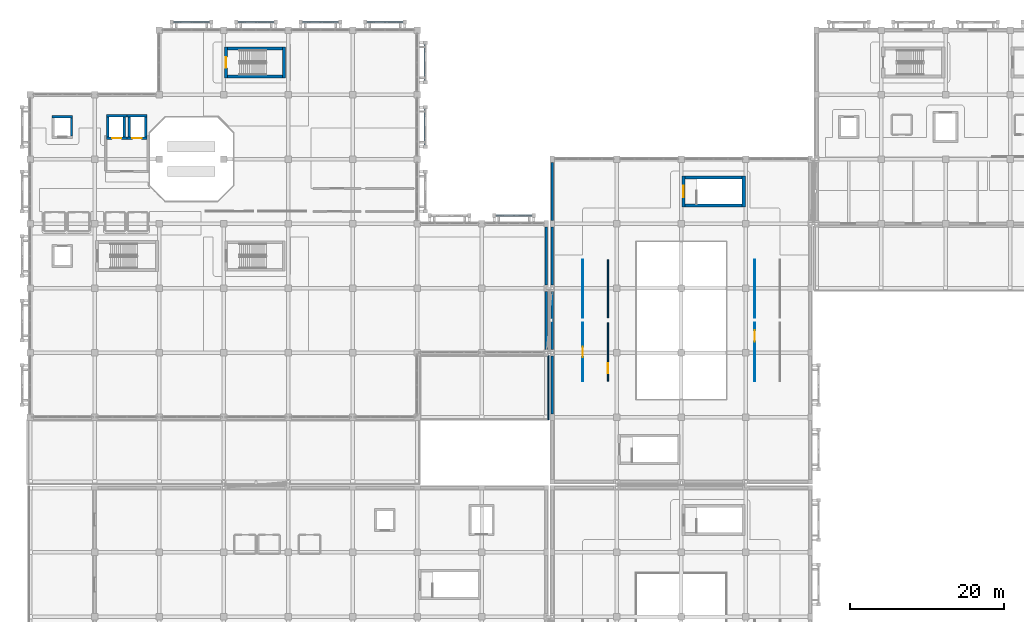
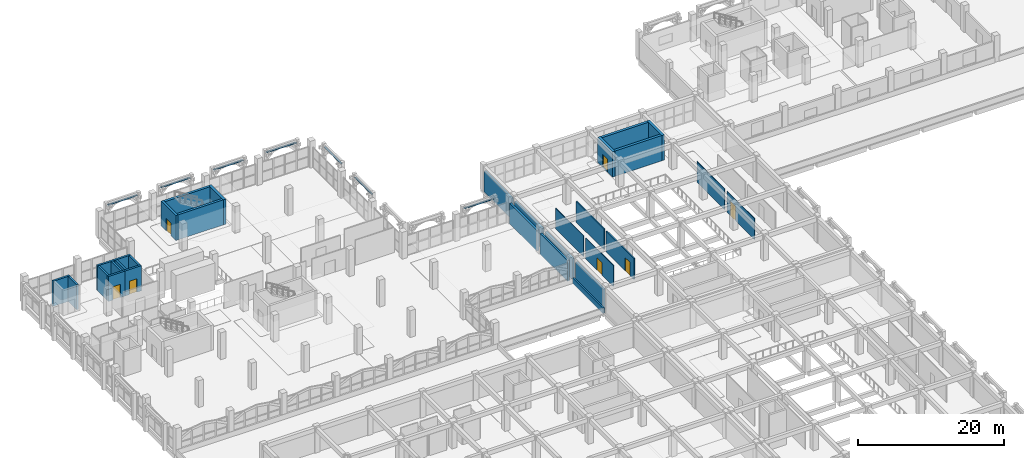
# One storey, part 113 of 129: 38 walls, 7 doors, 7 openings.
"""IFC4 building model written with IfcOpenShell, lengths in metres."""

from ifc_helpers import new_model, si_unit, direction, frame, frame_2d, origin, place, context, subcontext, project, spatial, rectangle, extrude, material, layer, layer_set, type_object, element, fill, save


model = new_model("IFC4")

# Units and contexts
model_context = context("Model", 3, precision=1e-05, world=origin(), true_north=direction((0.0, 1.0)))
body_context = subcontext(model_context, "Body", "Model", "MODEL_VIEW")
ifc_project = project(units=[si_unit("LENGTHUNIT", "METRE"), si_unit("AREAUNIT", "SQUARE_METRE"), si_unit("VOLUMEUNIT", "CUBIC_METRE"), si_unit("PLANEANGLEUNIT", "RADIAN"), si_unit("MASSUNIT", "GRAM", prefix="KILO")], contexts=[model_context])

# Site, building, storey
site_placement = place(None, origin())
site = spatial("IfcSite", under=ifc_project, at=site_placement, CompositionType="ELEMENT")
building_placement = place(site_placement, origin())
building = spatial("IfcBuilding", under=site, at=building_placement, Name="Xazarin Passage Department Store", CompositionType="ELEMENT")
storey_placement = place(building_placement, frame((0.0, 0.0, 9.89990234375)))
storey = spatial("IfcBuildingStorey", under=building, at=storey_placement, Name="L02", CompositionType="ELEMENT", Elevation=9.89990234375)

# Wall, opening, door
ifc_material_1 = material(Name="Buff Baku clay brick", Category="masonry")
ifc_layer_1 = layer(ifc_material_1, 0.18505859375)
ifc_layer_set_1 = layer_set([ifc_layer_1], Name="Buff Baku clay brick")
wall_type_1 = type_object("IfcWallType", Name="ARC-W-CMP185", PredefinedType="PARTITIONING", material=ifc_layer_set_1)
wall_1_placement = place(storey_placement, frame((75.25, 64.27001953125, 0.0), z_axis=(0.0, 0.0, 1.0), x_axis=(0.0, 1.0, 0.0)))
wall_1 = element("IfcWall", 1, at=wall_1_placement, inside=storey, type_object=wall_type_1, Name="L02 Millinery and Scarf Salon Front Wall 0170", PredefinedType="PARTITIONING", context=body_context, shape_type="SweptSolid", body=[
    extrude(rectangle(XDim=7.60986328125, YDim=0.18505859375, at=frame_2d((3.804931640625, 0.0))), origin(), (0.0, 0.0, 1.0), 3.489990234375),
])
opening_1_placement = place(wall_1_placement, frame((1.02490234375, 0.0, 0.0)))
opening_1 = element("IfcOpeningElement", 2, at=opening_1_placement, cuts=wall_1, Name="Opening ID32", PredefinedType="OPENING", context=body_context, shape_type="SweptSolid", body=[
    extrude(rectangle(XDim=1.360107421875, YDim=2.219970703125, at=frame_2d((0.68017578125, 1.10986328125))), frame((0.0, 0.1025390625, 0.0), z_axis=(0.0, -1.0, 0.0), x_axis=(1.0, 0.0, 0.0)), (0.0, 0.0, 1.0), 0.205078125),
])
ifc_material_2 = material(Name="Timber acoustic leaf", Category="wood")
door_type_1 = type_object("IfcDoorType", Name="ARC-DR-ID32", OperationType="NOTDEFINED", PredefinedType="DOOR", material=ifc_material_2)
door_1_placement = place(opening_1_placement, origin())
door_1 = element("IfcDoor", 3, at=door_1_placement, inside=storey, type_object=door_type_1, Name="DR-INT-L02-0170", OperationType="SINGLE_SWING_RIGHT", OverallHeight=2.219970703125, OverallWidth=1.360107421875, PredefinedType="DOOR", context=body_context, shape_type="SweptSolid", body=[
    extrude(rectangle(XDim=1.360107421875, YDim=2.219970703125, at=frame_2d((0.68017578125, 1.10986328125))), frame((0.0, 0.02490234375, 0.0), z_axis=(0.0, -1.0, 0.0), x_axis=(1.0, 0.0, 0.0)), (0.0, 0.0, 1.0), 0.050048828125),
])
fill(opening_1, door_1)

# Walls
wall_2_placement = place(storey_placement, frame((75.25, 72.52001953125, 0.0), z_axis=(0.0, 0.0, 1.0), x_axis=(0.0, 1.0, 0.0)))
element("IfcWall", 4, at=wall_2_placement, inside=storey, type_object=wall_type_1, Name="L02 Millinery and Scarf Salon Front Wall 0171", PredefinedType="PARTITIONING", context=body_context, shape_type="SweptSolid", body=[
    extrude(rectangle(XDim=7.60986328125, YDim=0.18505859375, at=frame_2d((3.804931640625, 0.0))), origin(), (0.0, 0.0, 1.0), 3.489990234375),
])
ifc_layer_2 = layer(ifc_material_1, 0.320068359375)
ifc_layer_set_2 = layer_set([ifc_layer_2], Name="Buff Baku clay brick")
wall_type_2 = type_object("IfcWallType", Name="ARC-W-EXT320", PredefinedType="SOLIDWALL", material=ifc_layer_set_2)
for number, where, z_axis, x_axis, name in (
    (5, (67.199951171875, 68.425048828125, 0.0), (0.0, 0.0, 1.0), (0.0, 1.0, 0.0), "L02 V1 Exterior Wall 033"),
    (6, (67.199951171875, 76.824951171875, 0.0), (0.0, 0.0, 1.0), (0.0, 1.0, 0.0), "L02 V1 Exterior Wall 034"),
):
    element("IfcWall", number, at=place(storey_placement, frame(where, z_axis=z_axis, x_axis=x_axis)), inside=storey, type_object=wall_type_2, Name=name, PredefinedType="SOLIDWALL", context=body_context, shape_type="SweptSolid", body=[
        extrude(rectangle(XDim=7.550048828125, YDim=0.320068359375, at=frame_2d((3.77490234375, 0.0))), origin(), (0.0, 0.0, 1.0), 3.4501953125),
    ])
for number, where, z_axis, x_axis, name in (
    (7, (68.0, 60.02490234375, 0.0), (0.0, 0.0, 1.0), (0.0, 1.0, 0.0), "L02 V2N Exterior Wall 173"),
    (8, (68.0, 68.425048828125, 0.0), (0.0, 0.0, 1.0), (0.0, 1.0, 0.0), "L02 V2N Exterior Wall 174"),
    (9, (68.0, 76.824951171875, 0.0), (0.0, 0.0, 1.0), (0.0, 1.0, 0.0), "L02 V2N Exterior Wall 175"),
):
    element("IfcWall", number, at=place(storey_placement, frame(where, z_axis=z_axis, x_axis=x_axis)), inside=storey, type_object=wall_type_2, Name=name, PredefinedType="SOLIDWALL", context=body_context, shape_type="SweptSolid", body=[
        extrude(rectangle(XDim=7.550048828125, YDim=0.320068359375, at=frame_2d((3.77490234375, 0.0))), origin(), (0.0, 0.0, 1.0), 3.489990234375),
    ])
wall_3_placement = place(storey_placement, frame((68.0, 85.22509765625, 0.0), z_axis=(0.0, 0.0, 1.0), x_axis=(0.0, 1.0, 0.0)))
element("IfcWall", 10, at=wall_3_placement, inside=storey, type_object=wall_type_2, Name="L02 V2N Exterior Wall 176", PredefinedType="SOLIDWALL", context=body_context, shape_type="SweptSolid", body=[
    extrude(rectangle(XDim=7.5498046875, YDim=0.320068359375, at=frame_2d((3.77490234375, 0.0))), origin(), (0.0, 0.0, 1.0), 3.489990234375),
])
ifc_material_3 = material(Name="Precast concrete C40/50", Category="concrete")
ifc_layer_3 = layer(ifc_material_3, 0.2099609375)
ifc_layer_set_3 = layer_set([ifc_layer_3], Name="Precast concrete C40/50")
wall_type_3 = type_object("IfcWallType", Name="ARC-W-PAR210", PredefinedType="PARAPET", material=ifc_layer_set_3)
wall_4_placement = place(storey_placement, frame((18.669921875, 111.050048828125, 3.880126953125), z_axis=(0.0, 0.0, 1.0), x_axis=(1.0, 0.0, 0.0)))
element("IfcWall", 11, at=wall_4_placement, inside=storey, type_object=wall_type_3, Name="L02 V1 Pierced-Arch Spandrel Lintel 0003", PredefinedType="PARAPET", context=body_context, shape_type="SweptSolid", body=[
    extrude(rectangle(XDim=4.66015625, YDim=0.2099609375, at=frame_2d((2.330078125, 0.0))), origin(), (0.0, 0.0, 1.0), 0.119873046875),
])
for number, where, z_axis, x_axis, name in (
    (12, (27.070068359375, 111.050048828125, 3.880126953125), (0.0, 0.0, 1.0), (1.0, 0.0, 0.0), "L02 V1 Pierced-Arch Spandrel Lintel 0011"),
    (13, (35.469970703125, 111.050048828125, 3.880126953125), (0.0, 0.0, 1.0), (1.0, 0.0, 0.0), "L02 V1 Pierced-Arch Spandrel Lintel 0019"),
    (14, (43.8701171875, 111.050048828125, 3.880126953125), (0.0, 0.0, 1.0), (1.0, 0.0, 0.0), "L02 V1 Pierced-Arch Spandrel Lintel 0025"),
):
    element("IfcWall", number, at=place(storey_placement, frame(where, z_axis=z_axis, x_axis=x_axis)), inside=storey, type_object=wall_type_3, Name=name, PredefinedType="PARAPET", context=body_context, shape_type="SweptSolid", body=[
        extrude(rectangle(XDim=4.659912109375, YDim=0.2099609375, at=frame_2d((2.330078125, 0.0))), origin(), (0.0, 0.0, 1.0), 0.119873046875),
    ])
wall_5_placement = place(storey_placement, frame((60.669921875, 85.85009765625, 3.880126953125), z_axis=(0.0, 0.0, 1.0), x_axis=(1.0, 0.0, 0.0)))
element("IfcWall", 15, at=wall_5_placement, inside=storey, type_object=wall_type_3, Name="L02 V1 Pierced-Arch Spandrel Lintel 0035", PredefinedType="PARAPET", context=body_context, shape_type="SweptSolid", body=[
    extrude(rectangle(XDim=4.66015625, YDim=0.2099609375, at=frame_2d((2.330078125, 0.0))), origin(), (0.0, 0.0, 1.0), 0.119873046875),
])
for number, where, z_axis, x_axis, name in (
    (16, (51.449951171875, 95.070068359375, 3.880126953125), (0.0, 0.0, 1.0), (0.0, 1.0, 0.0), "L02 V1 Pierced-Arch Spandrel Lintel 0077"),
    (17, (51.449951171875, 103.469970703125, 3.880126953125), (0.0, 0.0, 1.0), (0.0, 1.0, 0.0), "L02 V1 Pierced-Arch Spandrel Lintel 0081"),
):
    element("IfcWall", number, at=place(storey_placement, frame(where, z_axis=z_axis, x_axis=x_axis)), inside=storey, type_object=wall_type_3, Name=name, PredefinedType="PARAPET", context=body_context, shape_type="SweptSolid", body=[
        extrude(rectangle(XDim=4.659912109375, YDim=0.2099609375, at=frame_2d((2.330078125, 0.0))), origin(), (0.0, 0.0, 1.0), 0.119873046875),
    ])
wall_6_placement = place(storey_placement, frame((67.5, 59.300048828125, 0.0), z_axis=(0.0, 0.0, 1.0), x_axis=(0.0, 1.0, 0.0)))
element("IfcWall", 18, at=wall_6_placement, inside=storey, type_object=wall_type_3, Name="L02 Roof Parapet 005", PredefinedType="PARAPET", context=body_context, shape_type="SweptSolid", body=[
    extrude(rectangle(XDim=8.349853515625, YDim=0.2099609375, at=frame_2d((4.1748046875, 0.0))), origin(), (0.0, 0.0, 1.0), 0.9501953125),
])

# Wall, opening, door
ifc_material_4 = material(Name="Gypsum board acoustic partition")
ifc_layer_4 = layer(ifc_material_4, 0.094970703125)
ifc_layer_set_4 = layer_set([ifc_layer_4], Name="Gypsum board acoustic partition")
wall_type_4 = type_object("IfcWallType", Name="ARC-W-PRT095", PredefinedType="PARTITIONING", material=ifc_layer_set_4)
wall_7_placement = place(storey_placement, frame((71.949951171875, 64.27001953125, 0.0), z_axis=(0.0, 0.0, 1.0), x_axis=(0.0, 1.0, 0.0)))
wall_7 = element("IfcWall", 19, at=wall_7_placement, inside=storey, type_object=wall_type_4, Name="L02 Millinery and Scarf Salon Front Wall 0168", PredefinedType="PARTITIONING", context=body_context, shape_type="SweptSolid", body=[
    extrude(rectangle(XDim=7.60986328125, YDim=0.094970703125, at=frame_2d((3.804931640625, 0.0))), origin(), (0.0, 0.0, 1.0), 3.489990234375),
])
opening_2_placement = place(wall_7_placement, frame((3.125, 0.0, 0.0)))
opening_2 = element("IfcOpeningElement", 20, at=opening_2_placement, cuts=wall_7, Name="Opening ID31", PredefinedType="OPENING", context=body_context, shape_type="SweptSolid", body=[
    extrude(rectangle(XDim=1.360107421875, YDim=2.10009765625, at=frame_2d((0.68017578125, 1.050048828125))), frame((0.0, 0.057373046875, 0.0), z_axis=(0.0, -1.0, 0.0), x_axis=(1.0, 0.0, 0.0)), (0.0, 0.0, 1.0), 0.114990234375),
])
door_type_2 = type_object("IfcDoorType", Name="ARC-DR-ID31", OperationType="NOTDEFINED", PredefinedType="DOOR", material=ifc_material_2)
door_2_placement = place(opening_2_placement, origin())
door_2 = element("IfcDoor", 21, at=door_2_placement, inside=storey, type_object=door_type_2, Name="DR-INT-L02-0168", OperationType="SINGLE_SWING_LEFT", OverallHeight=2.10009765625, OverallWidth=1.360107421875, PredefinedType="DOOR", context=body_context, shape_type="SweptSolid", body=[
    extrude(rectangle(XDim=1.360107421875, YDim=2.10009765625, at=frame_2d((0.68017578125, 1.050048828125))), frame((0.0, 0.02490234375, 0.0), z_axis=(0.0, -1.0, 0.0), x_axis=(1.0, 0.0, 0.0)), (0.0, 0.0, 1.0), 0.050048828125),
])
fill(opening_2, door_2)

# Wall
wall_8_placement = place(storey_placement, frame((71.949951171875, 72.52001953125, 0.0), z_axis=(0.0, 0.0, 1.0), x_axis=(0.0, 1.0, 0.0)))
element("IfcWall", 22, at=wall_8_placement, inside=storey, type_object=wall_type_4, Name="L02 Millinery and Scarf Salon Front Wall 0169", PredefinedType="PARTITIONING", context=body_context, shape_type="SweptSolid", body=[
    extrude(rectangle(XDim=7.60986328125, YDim=0.094970703125, at=frame_2d((3.804931640625, 0.0))), origin(), (0.0, 0.0, 1.0), 3.489990234375),
])

# Wall, opening, door
wall_9_placement = place(storey_placement, frame((94.35009765625, 64.27001953125, 0.0), z_axis=(0.0, 0.0, 1.0), x_axis=(0.0, 1.0, 0.0)))
wall_9 = element("IfcWall", 23, at=wall_9_placement, inside=storey, type_object=wall_type_4, Name="L02 Arcade Boutique Front Wall 0174", PredefinedType="PARTITIONING", context=body_context, shape_type="SweptSolid", body=[
    extrude(rectangle(XDim=7.60986328125, YDim=0.094970703125, at=frame_2d((3.804931640625, 0.0))), origin(), (0.0, 0.0, 1.0), 3.489990234375),
])
opening_3_placement = place(wall_9_placement, frame((5.18505859375, 0.0, 0.0)))
opening_3 = element("IfcOpeningElement", 24, at=opening_3_placement, cuts=wall_9, Name="Opening ID38", PredefinedType="OPENING", context=body_context, shape_type="SweptSolid", body=[
    extrude(rectangle(XDim=1.43994140625, YDim=2.4599609375, at=frame_2d((0.719970703125, 1.22998046875))), frame((0.0, 0.057373046875, 0.0), z_axis=(0.0, -1.0, 0.0), x_axis=(1.0, 0.0, 0.0)), (0.0, 0.0, 1.0), 0.114990234375),
])
ifc_material_5 = material(Name="Bronze anodised aluminium", Category="aluminium")
door_type_3 = type_object("IfcDoorType", Name="ARC-DR-ID38", OperationType="NOTDEFINED", PredefinedType="DOOR", material=ifc_material_5)
door_3_placement = place(opening_3_placement, origin())
door_3 = element("IfcDoor", 25, at=door_3_placement, inside=storey, type_object=door_type_3, Name="DR-INT-L02-0174", OperationType="SINGLE_SWING_RIGHT", OverallHeight=2.4599609375, OverallWidth=1.43994140625, PredefinedType="DOOR", context=body_context, shape_type="SweptSolid", body=[
    extrude(rectangle(XDim=1.43994140625, YDim=2.4599609375, at=frame_2d((0.719970703125, 1.22998046875))), frame((0.0, 0.02490234375, 0.0), z_axis=(0.0, -1.0, 0.0), x_axis=(1.0, 0.0, 0.0)), (0.0, 0.0, 1.0), 0.050048828125),
])
fill(opening_3, door_3)

# Wall
wall_10_placement = place(storey_placement, frame((94.35009765625, 72.52001953125, 0.0), z_axis=(0.0, 0.0, 1.0), x_axis=(0.0, 1.0, 0.0)))
element("IfcWall", 26, at=wall_10_placement, inside=storey, type_object=wall_type_4, Name="L02 Arcade Boutique Front Wall 0175", PredefinedType="PARTITIONING", context=body_context, shape_type="SweptSolid", body=[
    extrude(rectangle(XDim=7.60986328125, YDim=0.094970703125, at=frame_2d((3.804931640625, 0.0))), origin(), (0.0, 0.0, 1.0), 3.489990234375),
])

# Wall, opening, door
ifc_material_6 = material(Name="Concrete C40/50", Category="concrete")
ifc_layer_5 = layer(ifc_material_6, 0.31005859375)
ifc_layer_set_5 = layer_set([ifc_layer_5], Name="Concrete C40/50")
wall_type_5 = type_object("IfcWallType", Name="STR-W-LFT310", PredefinedType="SHEAR", material=ifc_layer_set_5)
wall_11_placement = place(storey_placement, frame((9.969970703125, 95.925048828125, 0.0), z_axis=(0.0, 0.0, 1.0), x_axis=(1.0, 0.0, 0.0)))
wall_11 = element("IfcWall", 27, at=wall_11_placement, inside=storey, type_object=wall_type_5, Name="L02 Lift FL1 Shaft Wall South", PredefinedType="SHEAR", context=body_context, shape_type="SweptSolid", body=[
    extrude(rectangle(XDim=2.630126953125, YDim=0.31005859375, at=frame_2d((1.31494140625, 0.0))), origin(), (0.0, 0.0, 1.0), 4.2001953125),
])
opening_4_placement = place(wall_11_placement, frame((0.715087890625, 0.0, 0.0)))
opening_4 = element("IfcOpeningElement", 28, at=opening_4_placement, cuts=wall_11, Name="Opening LD-FL1-L02", PredefinedType="OPENING", context=body_context, shape_type="SweptSolid", body=[
    extrude(rectangle(XDim=1.199951171875, YDim=2.25, at=frame_2d((0.60009765625, 1.125))), frame((0.0, 0.1650390625, 0.0), z_axis=(0.0, -1.0, 0.0), x_axis=(1.0, 0.0, 0.0)), (0.0, 0.0, 1.0), 0.330078125),
])
ifc_material_7 = material(Name="Steel S355", Category="steel")
door_type_4 = type_object("IfcDoorType", Name="ARC-DR-LD120", OperationType="NOTDEFINED", PredefinedType="DOOR", material=ifc_material_7)
door_4_placement = place(opening_4_placement, origin())
door_4 = element("IfcDoor", 29, at=door_4_placement, inside=storey, type_object=door_type_4, Name="DR-LD-FL1-L02", OperationType="SLIDING_TO_LEFT", OverallHeight=2.25, OverallWidth=1.199951171875, PredefinedType="DOOR", context=body_context, shape_type="SweptSolid", body=[
    extrude(rectangle(XDim=1.199951171875, YDim=2.25, at=frame_2d((0.60009765625, 1.125))), frame((0.0, 0.02490234375, 0.0), z_axis=(0.0, -1.0, 0.0), x_axis=(1.0, 0.0, 0.0)), (0.0, 0.0, 1.0), 0.050048828125),
])
fill(opening_4, door_4)

# Walls
wall_12_placement = place(storey_placement, frame((9.969970703125, 98.875, 0.0), z_axis=(0.0, 0.0, 1.0), x_axis=(1.0, 0.0, 0.0)))
element("IfcWall", 30, at=wall_12_placement, inside=storey, type_object=wall_type_5, Name="L02 Lift FL1 Shaft Wall North", PredefinedType="SHEAR", context=body_context, shape_type="SweptSolid", body=[
    extrude(rectangle(XDim=2.630126953125, YDim=0.31005859375, at=frame_2d((1.31494140625, 0.0))), origin(), (0.0, 0.0, 1.0), 4.2001953125),
])
for number, where, z_axis, x_axis, name in (
    (31, (10.125, 96.080078125, 0.0), (0.0, 0.0, 1.0), (0.0, 1.0, 0.0), "L02 Lift FL1 Shaft Wall West"),
    (32, (12.27490234375, 96.080078125, 0.0), (0.0, 0.0, 1.0), (0.0, 1.0, 0.0), "L02 Lift FL1 Shaft Wall East"),
):
    element("IfcWall", number, at=place(storey_placement, frame(where, z_axis=z_axis, x_axis=x_axis)), inside=storey, type_object=wall_type_5, Name=name, PredefinedType="SHEAR", context=body_context, shape_type="SweptSolid", body=[
        extrude(rectangle(XDim=2.639892578125, YDim=0.31005859375, at=frame_2d((1.31982421875, 0.0))), origin(), (0.0, 0.0, 1.0), 4.2001953125),
    ])

# Wall, opening, door
wall_13_placement = place(storey_placement, frame((12.60009765625, 95.925048828125, 0.0), z_axis=(0.0, 0.0, 1.0), x_axis=(1.0, 0.0, 0.0)))
wall_13 = element("IfcWall", 33, at=wall_13_placement, inside=storey, type_object=wall_type_5, Name="L02 Lift FL2 Shaft Wall South", PredefinedType="SHEAR", context=body_context, shape_type="SweptSolid", body=[
    extrude(rectangle(XDim=2.6298828125, YDim=0.31005859375, at=frame_2d((1.31494140625, 0.0))), origin(), (0.0, 0.0, 1.0), 4.2001953125),
])
opening_5_placement = place(wall_13_placement, frame((0.715087890625, 0.0, 0.0)))
opening_5 = element("IfcOpeningElement", 34, at=opening_5_placement, cuts=wall_13, Name="Opening LD-FL2-L02", PredefinedType="OPENING", context=body_context, shape_type="SweptSolid", body=[
    extrude(rectangle(XDim=1.199951171875, YDim=2.25, at=frame_2d((0.60009765625, 1.125))), frame((0.0, 0.1650390625, 0.0), z_axis=(0.0, -1.0, 0.0), x_axis=(1.0, 0.0, 0.0)), (0.0, 0.0, 1.0), 0.330078125),
])
door_5_placement = place(opening_5_placement, origin())
door_5 = element("IfcDoor", 35, at=door_5_placement, inside=storey, type_object=door_type_4, Name="DR-LD-FL2-L02", OperationType="SLIDING_TO_LEFT", OverallHeight=2.25, OverallWidth=1.199951171875, PredefinedType="DOOR", context=body_context, shape_type="SweptSolid", body=[
    extrude(rectangle(XDim=1.199951171875, YDim=2.25, at=frame_2d((0.60009765625, 1.125))), frame((0.0, 0.02490234375, 0.0), z_axis=(0.0, -1.0, 0.0), x_axis=(1.0, 0.0, 0.0)), (0.0, 0.0, 1.0), 0.050048828125),
])
fill(opening_5, door_5)

# Walls
wall_14_placement = place(storey_placement, frame((12.60009765625, 98.875, 0.0), z_axis=(0.0, 0.0, 1.0), x_axis=(1.0, 0.0, 0.0)))
element("IfcWall", 36, at=wall_14_placement, inside=storey, type_object=wall_type_5, Name="L02 Lift FL2 Shaft Wall North", PredefinedType="SHEAR", context=body_context, shape_type="SweptSolid", body=[
    extrude(rectangle(XDim=2.6298828125, YDim=0.31005859375, at=frame_2d((1.31494140625, 0.0))), origin(), (0.0, 0.0, 1.0), 4.2001953125),
])
for number, where, z_axis, x_axis, name in (
    (37, (12.925048828125, 96.080078125, 0.0), (0.0, 0.0, 1.0), (0.0, 1.0, 0.0), "L02 Lift FL2 Shaft Wall West"),
    (38, (15.074951171875, 96.080078125, 0.0), (0.0, 0.0, 1.0), (0.0, 1.0, 0.0), "L02 Lift FL2 Shaft Wall East"),
):
    element("IfcWall", number, at=place(storey_placement, frame(where, z_axis=z_axis, x_axis=x_axis)), inside=storey, type_object=wall_type_5, Name=name, PredefinedType="SHEAR", context=body_context, shape_type="SweptSolid", body=[
        extrude(rectangle(XDim=2.639892578125, YDim=0.31005859375, at=frame_2d((1.31982421875, 0.0))), origin(), (0.0, 0.0, 1.0), 4.2001953125),
    ])
wall_15_placement = place(storey_placement, frame((2.8701171875, 98.72509765625, 0.0), z_axis=(0.0, 0.0, 1.0), x_axis=(1.0, 0.0, 0.0)))
element("IfcWall", 39, at=wall_15_placement, inside=storey, type_object=wall_type_5, Name="L02 Lift PL2 Shaft Wall North", PredefinedType="SHEAR", context=body_context, shape_type="SweptSolid", body=[
    extrude(rectangle(XDim=2.659912109375, YDim=0.31005859375, at=frame_2d((1.330078125, 0.0))), origin(), (0.0, 0.0, 1.0), 4.2001953125),
])
wall_16_placement = place(storey_placement, frame((5.375, 96.22998046875, 0.0), z_axis=(0.0, 0.0, 1.0), x_axis=(0.0, 1.0, 0.0)))
element("IfcWall", 40, at=wall_16_placement, inside=storey, type_object=wall_type_5, Name="L02 Lift PL2 Shaft Wall East", PredefinedType="SHEAR", context=body_context, shape_type="SweptSolid", body=[
    extrude(rectangle(XDim=2.340087890625, YDim=0.31005859375, at=frame_2d((1.169921875, 0.0))), origin(), (0.0, 0.0, 1.0), 4.2001953125),
])

# Wall, opening, door
ifc_layer_6 = layer(ifc_material_6, 0.389892578125)
ifc_layer_set_6 = layer_set([ifc_layer_6], Name="Concrete C40/50")
wall_type_6 = type_object("IfcWallType", Name="STR-W-SHR390", PredefinedType="SHEAR", material=ifc_layer_set_6)
wall_17_placement = place(storey_placement, frame((25.5048828125, 107.81005859375, 0.0), z_axis=(0.0, 0.0, 1.0), x_axis=(0.0, -1.0, 0.0)))
wall_17 = element("IfcWall", 41, at=wall_17_placement, inside=storey, type_object=wall_type_6, Name="L02 Core K2 West Shear Wall", PredefinedType="SHEAR", context=body_context, shape_type="SweptSolid", body=[
    extrude(rectangle(XDim=4.02001953125, YDim=0.389892578125, at=frame_2d((2.010009765625, 0.0))), origin(), (0.0, 0.0, 1.0), 4.2001953125),
])
opening_6_placement = place(wall_17_placement, frame((1.31005859375, 0.0, 0.0)))
opening_6 = element("IfcOpeningElement", 42, at=opening_6_placement, cuts=wall_17, Name="Opening FD2", PredefinedType="OPENING", context=body_context, shape_type="SweptSolid", body=[
    extrude(rectangle(XDim=1.39990234375, YDim=2.14990234375, at=frame_2d((0.699951171875, 1.074951171875))), frame((0.0, 0.204833984375, 0.0), z_axis=(0.0, -1.0, 0.0), x_axis=(1.0, 0.0, 0.0)), (0.0, 0.0, 1.0), 0.409912109375),
])
door_type_5 = type_object("IfcDoorType", Name="ARC-DR-STR140", OperationType="NOTDEFINED", PredefinedType="DOOR", material=ifc_material_7)
door_6_placement = place(opening_6_placement, origin())
door_6 = element("IfcDoor", 43, at=door_6_placement, inside=storey, type_object=door_type_5, Name="DR-STR-K2-L02", OperationType="SINGLE_SWING_RIGHT", OverallHeight=2.14990234375, OverallWidth=1.39990234375, PredefinedType="DOOR", context=body_context, shape_type="SweptSolid", body=[
    extrude(rectangle(XDim=1.39990234375, YDim=2.14990234375, at=frame_2d((0.699951171875, 1.074951171875))), frame((0.0, 0.02490234375, 0.0), z_axis=(0.0, -1.0, 0.0), x_axis=(1.0, 0.0, 0.0)), (0.0, 0.0, 1.0), 0.050048828125),
])
fill(opening_6, door_6)

# Walls
wall_18_placement = place(storey_placement, frame((33.044921875, 103.7900390625, 0.0), z_axis=(0.0, 0.0, 1.0), x_axis=(0.0, 1.0, 0.0)))
element("IfcWall", 44, at=wall_18_placement, inside=storey, type_object=wall_type_6, Name="L02 Core K2 East Shear Wall", PredefinedType="SHEAR", context=body_context, shape_type="SweptSolid", body=[
    extrude(rectangle(XDim=4.02001953125, YDim=0.389892578125, at=frame_2d((2.010009765625, 0.0))), origin(), (0.0, 0.0, 1.0), 4.2001953125),
])
for number, where, z_axis, x_axis, name in (
    (45, (25.699951171875, 103.985107421875, 0.0), (0.0, 0.0, 1.0), (1.0, 0.0, 0.0), "L02 Core K2 South Shear Wall"),
    (46, (25.699951171875, 107.614990234375, 0.0), (0.0, 0.0, 1.0), (1.0, 0.0, 0.0), "L02 Core K2 North Shear Wall"),
):
    element("IfcWall", number, at=place(storey_placement, frame(where, z_axis=z_axis, x_axis=x_axis)), inside=storey, type_object=wall_type_6, Name=name, PredefinedType="SHEAR", context=body_context, shape_type="SweptSolid", body=[
        extrude(rectangle(XDim=7.150146484375, YDim=0.389892578125, at=frame_2d((3.5751953125, 0.0))), origin(), (0.0, 0.0, 1.0), 4.2001953125),
    ])

# Wall, opening, door
ifc_layer_7 = layer(ifc_material_6, 0.419921875)
ifc_layer_set_7 = layer_set([ifc_layer_7], Name="Concrete C40/50")
wall_type_7 = type_object("IfcWallType", Name="STR-W-SHR420", PredefinedType="SHEAR", material=ifc_layer_set_7)
wall_19_placement = place(storey_placement, frame((85.090087890625, 91.0400390625, 0.0), z_axis=(0.0, 0.0, 1.0), x_axis=(0.0, -1.0, 0.0)))
wall_19 = element("IfcWall", 47, at=wall_19_placement, inside=storey, type_object=wall_type_7, Name="L02 Core K7 West Shear Wall", PredefinedType="SHEAR", context=body_context, shape_type="SweptSolid", body=[
    extrude(rectangle(XDim=4.080078125, YDim=0.419921875, at=frame_2d((2.0400390625, 0.0))), origin(), (0.0, 0.0, 1.0), 4.239990234375),
])
opening_7_placement = place(wall_19_placement, frame((1.31494140625, 0.0, 0.0)))
opening_7 = element("IfcOpeningElement", 48, at=opening_7_placement, cuts=wall_19, Name="Opening FD1", PredefinedType="OPENING", context=body_context, shape_type="SweptSolid", body=[
    extrude(rectangle(XDim=1.449951171875, YDim=2.199951171875, at=frame_2d((0.72509765625, 1.10009765625))), frame((0.0, 0.219970703125, 0.0), z_axis=(0.0, -1.0, 0.0), x_axis=(1.0, 0.0, 0.0)), (0.0, 0.0, 1.0), 0.43994140625),
])
door_type_6 = type_object("IfcDoorType", Name="ARC-DR-STR145", OperationType="NOTDEFINED", PredefinedType="DOOR", material=ifc_material_7)
door_7_placement = place(opening_7_placement, origin())
door_7 = element("IfcDoor", 49, at=door_7_placement, inside=storey, type_object=door_type_6, Name="DR-STR-K7-L02", OperationType="SINGLE_SWING_LEFT", OverallHeight=2.199951171875, OverallWidth=1.449951171875, PredefinedType="DOOR", context=body_context, shape_type="SweptSolid", body=[
    extrude(rectangle(XDim=1.449951171875, YDim=2.199951171875, at=frame_2d((0.72509765625, 1.10009765625))), frame((0.0, 0.02490234375, 0.0), z_axis=(0.0, -1.0, 0.0), x_axis=(1.0, 0.0, 0.0)), (0.0, 0.0, 1.0), 0.050048828125),
])
fill(opening_7, door_7)

# Walls
wall_20_placement = place(storey_placement, frame((92.909912109375, 86.9599609375, 0.0), z_axis=(0.0, 0.0, 1.0), x_axis=(0.0, 1.0, 0.0)))
element("IfcWall", 50, at=wall_20_placement, inside=storey, type_object=wall_type_7, Name="L02 Core K7 East Shear Wall", PredefinedType="SHEAR", context=body_context, shape_type="SweptSolid", body=[
    extrude(rectangle(XDim=4.080078125, YDim=0.419921875, at=frame_2d((2.0400390625, 0.0))), origin(), (0.0, 0.0, 1.0), 4.239990234375),
])
for number, where, z_axis, x_axis, name in (
    (51, (85.300048828125, 87.169921875, 0.0), (0.0, 0.0, 1.0), (1.0, 0.0, 0.0), "L02 Core K7 South Shear Wall"),
    (52, (85.300048828125, 90.830078125, 0.0), (0.0, 0.0, 1.0), (1.0, 0.0, 0.0), "L02 Core K7 North Shear Wall"),
):
    element("IfcWall", number, at=place(storey_placement, frame(where, z_axis=z_axis, x_axis=x_axis)), inside=storey, type_object=wall_type_7, Name=name, PredefinedType="SHEAR", context=body_context, shape_type="SweptSolid", body=[
        extrude(rectangle(XDim=7.39990234375, YDim=0.419921875, at=frame_2d((3.699951171875, 0.0))), origin(), (0.0, 0.0, 1.0), 4.239990234375),
    ])

save(model, "model.ifc")
